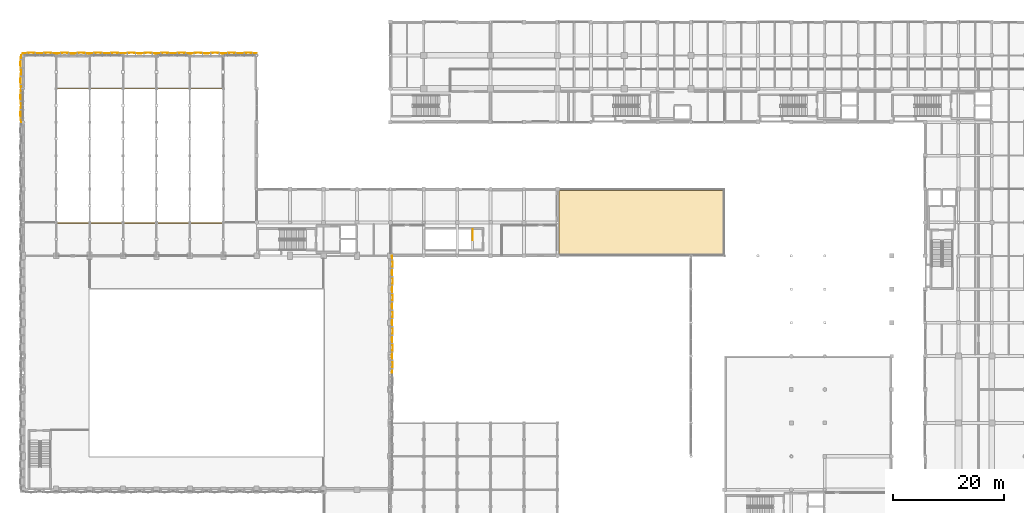
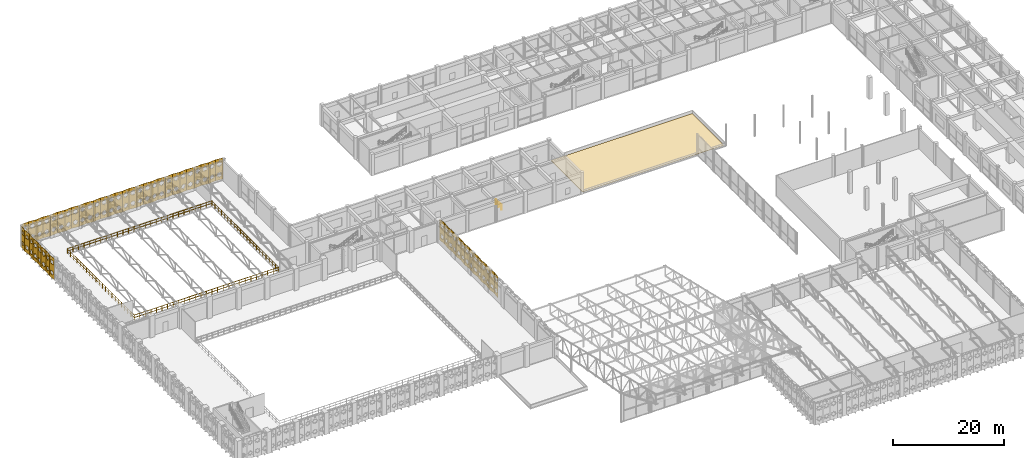
# One storey, part 119 of 123: 51 coverings, 2 railings.
"""IFC4 building model written with IfcOpenShell, lengths in metres."""

from ifc_helpers import new_model, si_unit, direction, frame, origin, origin_2d, place, context, subcontext, project, spatial, polyline, circle, outline, extrude, material, layer, layer_set, type_object, element, save


model = new_model("IFC4")

# Units and contexts
model_context = context("Model", 3, precision=1e-05, world=origin(), true_north=direction((0.0, 1.0)))
body_context = subcontext(model_context, "Body", "Model", "MODEL_VIEW")
ifc_project = project(units=[si_unit("LENGTHUNIT", "METRE"), si_unit("AREAUNIT", "SQUARE_METRE"), si_unit("VOLUMEUNIT", "CUBIC_METRE"), si_unit("PLANEANGLEUNIT", "RADIAN"), si_unit("MASSUNIT", "GRAM", prefix="KILO"), si_unit("THERMODYNAMICTEMPERATUREUNIT", "KELVIN"), si_unit("POWERUNIT", "WATT")], contexts=[model_context])

# Site, building, storey
site_placement = place(None, origin())
site = spatial("IfcSite", under=ifc_project, at=site_placement, CompositionType="ELEMENT")
building_placement = place(site_placement, origin())
building = spatial("IfcBuilding", under=site, at=building_placement, Name="Phaisarnlok Congress Hotel", CompositionType="ELEMENT")
storey_placement = place(building_placement, frame((0.0, 0.0, 15.0)))
storey = spatial("IfcBuildingStorey", under=building, at=storey_placement, Name="L03", CompositionType="ELEMENT", Elevation=15.0)

# Coverings
ifc_material_1 = material(Name="TPO Waterproofing Membrane & Rigid PIR Insulation", Category="other")
ifc_layer_1 = layer(ifc_material_1, 0.050048828125, Name="TPO Waterproofing Membrane & Rigid PIR Insulation")
ifc_layer_set_1 = layer_set([ifc_layer_1], Name="TPO Waterproofing Membrane & Rigid PIR Insulation")
covering_type_1 = type_object("IfcCoveringType", Name="COV-ROOF-MEMB", PredefinedType="ROOFING", material=ifc_layer_set_1)
covering_placement = place(storey_placement, origin())
element("IfcCovering", 1, at=covering_placement, inside=storey, type_object=covering_type_1, Name="Podium roof waterproofing membrane RF-01 (L03 pod_brd_n)", PredefinedType="ROOFING", context=body_context, shape_type="SweptSolid", body=[
    extrude(outline(polyline([(96.25, 84.25), (125.75, 84.25), (125.75, 95.75), (96.25, 95.75), (96.25, 84.25)])), origin(), (0.0, 0.0, 1.0), 0.050048828125),
])
ifc_material_2 = material(Name="PVDF White Perforated Aluminium Alloy 5052", Category="aluminium")
ifc_layer_2 = layer(ifc_material_2, 0.0400390625, Name="PVDF White Perforated Aluminium Alloy 5052")
ifc_layer_set_2 = layer_set([ifc_layer_2], Name="PVDF White Perforated Aluminium Alloy 5052")
covering_type_2 = type_object("IfcCoveringType", Name="COV-STAR-FOLD", PredefinedType="CLADDING", material=ifc_layer_set_2)
for number, where, z_axis, x_axis, name in (
    (2, (66.457763671875, 64.5, 0.06005859375), (-0.994517863207, 0.104566819602, 0.0), (-0.104566819602, -0.994517863207, 0.0), "Folded star-perforated hall screen SS-02 (V1E L03)"),
    (3, (66.300048828125, 66.0, 0.06005859375), (-0.994517863207, -0.104566819602, 0.0), (0.104566819602, -0.994517863207, 0.0), "Folded star-perforated hall screen SS-02 (V1E L03)"),
    (4, (66.457763671875, 67.5, 0.06005859375), (-0.994517863207, 0.104566819602, 0.0), (-0.104566819602, -0.994517863207, 0.0), "Folded star-perforated hall screen SS-02 (V1E L03)"),
    (5, (66.300048828125, 69.0, 0.06005859375), (-0.994517863207, -0.104566819602, 0.0), (0.104566819602, -0.994517863207, 0.0), "Folded star-perforated hall screen SS-02 (V1E L03)"),
    (6, (66.457763671875, 70.5, 0.06005859375), (-0.994517863207, 0.104566819602, 0.0), (-0.104566819602, -0.994517863207, 0.0), "Folded star-perforated hall screen SS-02 (V1E L03)"),
    (7, (66.300048828125, 72.0, 0.06005859375), (-0.994517863207, -0.104566819602, 0.0), (0.104566819602, -0.994517863207, 0.0), "Folded star-perforated hall screen SS-02 (V1E L03)"),
    (8, (66.457763671875, 73.5, 0.06005859375), (-0.994517863207, 0.104566819602, 0.0), (-0.104566819602, -0.994517863207, 0.0), "Folded star-perforated hall screen SS-02 (V1E L03)"),
    (9, (66.300048828125, 75.0, 0.06005859375), (-0.994517863207, -0.104566819602, 0.0), (0.104566819602, -0.994517863207, 0.0), "Folded star-perforated hall screen SS-02 (V1E L03)"),
    (10, (66.457763671875, 76.5, 0.06005859375), (-0.994517863207, 0.104566819602, 0.0), (-0.104566819602, -0.994517863207, 0.0), "Folded star-perforated hall screen SS-02 (V1E L03)"),
    (11, (66.300048828125, 78.0, 0.06005859375), (-0.994517863207, -0.104566819602, 0.0), (0.104566819602, -0.994517863207, 0.0), "Folded star-perforated hall screen SS-02 (V1E L03)"),
    (12, (66.457763671875, 79.5, 0.06005859375), (-0.994517863207, 0.104566819602, 0.0), (-0.104566819602, -0.994517863207, 0.0), "Folded star-perforated hall screen SS-02 (V1E L03)"),
    (13, (66.300048828125, 81.0, 0.06005859375), (-0.994517863207, -0.104566819602, 0.0), (0.104566819602, -0.994517863207, 0.0), "Folded star-perforated hall screen SS-02 (V1E L03)"),
    (14, (66.457763671875, 82.5, 0.06005859375), (-0.994517863207, 0.104566819602, 0.0), (-0.104566819602, -0.994517863207, 0.0), "Folded star-perforated hall screen SS-02 (V1E L03)"),
    (15, (66.300048828125, 84.0, 0.06005859375), (-0.994517863207, -0.104566819602, 0.0), (0.104566819602, -0.994517863207, 0.0), "Folded star-perforated hall screen SS-02 (V1E L03)"),
    (16, (-0.300048828125, 108.0, 0.06005859375), (0.994517863207, 0.104566819602, 0.0), (-0.104566819602, 0.994517863207, 0.0), "Folded star-perforated hall screen SS-02 (V3W L03)"),
    (17, (-0.457763671875, 109.5, 0.06005859375), (0.994517863207, -0.104566819602, 0.0), (0.104566819602, 0.994517863207, 0.0), "Folded star-perforated hall screen SS-02 (V3W L03)"),
    (18, (-0.300048828125, 111.0, 0.06005859375), (0.994517863207, 0.104566819602, 0.0), (-0.104566819602, 0.994517863207, 0.0), "Folded star-perforated hall screen SS-02 (V3W L03)"),
    (19, (-0.457763671875, 112.5, 0.06005859375), (0.994517863207, -0.104566819602, 0.0), (0.104566819602, 0.994517863207, 0.0), "Folded star-perforated hall screen SS-02 (V3W L03)"),
    (20, (-0.300048828125, 114.0, 0.06005859375), (0.994517863207, 0.104566819602, 0.0), (-0.104566819602, 0.994517863207, 0.0), "Folded star-perforated hall screen SS-02 (V3W L03)"),
    (21, (-0.457763671875, 115.5, 0.06005859375), (0.994517863207, -0.104566819602, 0.0), (0.104566819602, 0.994517863207, 0.0), "Folded star-perforated hall screen SS-02 (V3W L03)"),
    (22, (-0.300048828125, 117.0, 0.06005859375), (0.994517863207, 0.104566819602, 0.0), (-0.104566819602, 0.994517863207, 0.0), "Folded star-perforated hall screen SS-02 (V3W L03)"),
    (23, (-0.457763671875, 118.5, 0.06005859375), (0.994517863207, -0.104566819602, 0.0), (0.104566819602, 0.994517863207, 0.0), "Folded star-perforated hall screen SS-02 (V3W L03)"),
    (24, (1.5, 120.457763671875, 0.06005859375), (-0.104566819602, 0.994517863207, 0.0), (-0.994517863207, -0.104566819602, 0.0), "Folded star-perforated hall screen SS-02 (V3N L03)"),
    (25, (3.0, 120.300048828125, 0.06005859375), (0.104566819602, 0.994517863207, 0.0), (-0.994517863207, 0.104566819602, 0.0), "Folded star-perforated hall screen SS-02 (V3N L03)"),
    (26, (4.5, 120.457763671875, 0.06005859375), (-0.104566819602, 0.994517863207, 0.0), (-0.994517863207, -0.104566819602, 0.0), "Folded star-perforated hall screen SS-02 (V3N L03)"),
    (27, (6.0, 120.300048828125, 0.06005859375), (0.104566819602, 0.994517863207, 0.0), (-0.994517863207, 0.104566819602, 0.0), "Folded star-perforated hall screen SS-02 (V3N L03)"),
    (28, (7.5, 120.457763671875, 0.06005859375), (-0.104566819602, 0.994517863207, 0.0), (-0.994517863207, -0.104566819602, 0.0), "Folded star-perforated hall screen SS-02 (V3N L03)"),
    (29, (9.0, 120.300048828125, 0.06005859375), (0.104566819602, 0.994517863207, 0.0), (-0.994517863207, 0.104566819602, 0.0), "Folded star-perforated hall screen SS-02 (V3N L03)"),
    (30, (10.5, 120.457763671875, 0.06005859375), (-0.104566819602, 0.994517863207, 0.0), (-0.994517863207, -0.104566819602, 0.0), "Folded star-perforated hall screen SS-02 (V3N L03)"),
    (31, (12.0, 120.300048828125, 0.06005859375), (0.104566819602, 0.994517863207, 0.0), (-0.994517863207, 0.104566819602, 0.0), "Folded star-perforated hall screen SS-02 (V3N L03)"),
    (32, (13.5, 120.457763671875, 0.06005859375), (-0.104566819602, 0.994517863207, 0.0), (-0.994517863207, -0.104566819602, 0.0), "Folded star-perforated hall screen SS-02 (V3N L03)"),
    (33, (15.0, 120.300048828125, 0.06005859375), (0.104566819602, 0.994517863207, 0.0), (-0.994517863207, 0.104566819602, 0.0), "Folded star-perforated hall screen SS-02 (V3N L03)"),
    (34, (16.5, 120.457763671875, 0.06005859375), (-0.104566819602, 0.994517863207, 0.0), (-0.994517863207, -0.104566819602, 0.0), "Folded star-perforated hall screen SS-02 (V3N L03)"),
    (35, (18.0, 120.300048828125, 0.06005859375), (0.104566819602, 0.994517863207, 0.0), (-0.994517863207, 0.104566819602, 0.0), "Folded star-perforated hall screen SS-02 (V3N L03)"),
    (36, (19.5, 120.457763671875, 0.06005859375), (-0.104566819602, 0.994517863207, 0.0), (-0.994517863207, -0.104566819602, 0.0), "Folded star-perforated hall screen SS-02 (V3N L03)"),
    (37, (21.0, 120.300048828125, 0.06005859375), (0.104566819602, 0.994517863207, 0.0), (-0.994517863207, 0.104566819602, 0.0), "Folded star-perforated hall screen SS-02 (V3N L03)"),
    (38, (22.5, 120.457763671875, 0.06005859375), (-0.104566819602, 0.994517863207, 0.0), (-0.994517863207, -0.104566819602, 0.0), "Folded star-perforated hall screen SS-02 (V3N L03)"),
    (39, (24.0, 120.300048828125, 0.06005859375), (0.104566819602, 0.994517863207, 0.0), (-0.994517863207, 0.104566819602, 0.0), "Folded star-perforated hall screen SS-02 (V3N L03)"),
    (40, (25.5, 120.457763671875, 0.06005859375), (-0.104566819602, 0.994517863207, 0.0), (-0.994517863207, -0.104566819602, 0.0), "Folded star-perforated hall screen SS-02 (V3N L03)"),
    (41, (27.0, 120.300048828125, 0.06005859375), (0.104566819602, 0.994517863207, 0.0), (-0.994517863207, 0.104566819602, 0.0), "Folded star-perforated hall screen SS-02 (V3N L03)"),
    (42, (28.5, 120.457763671875, 0.06005859375), (-0.104566819602, 0.994517863207, 0.0), (-0.994517863207, -0.104566819602, 0.0), "Folded star-perforated hall screen SS-02 (V3N L03)"),
    (43, (30.0, 120.300048828125, 0.06005859375), (0.104566819602, 0.994517863207, 0.0), (-0.994517863207, 0.104566819602, 0.0), "Folded star-perforated hall screen SS-02 (V3N L03)"),
    (44, (31.5, 120.457763671875, 0.06005859375), (-0.104566819602, 0.994517863207, 0.0), (-0.994517863207, -0.104566819602, 0.0), "Folded star-perforated hall screen SS-02 (V3N L03)"),
    (45, (33.0, 120.300048828125, 0.06005859375), (0.104566819602, 0.994517863207, 0.0), (-0.994517863207, 0.104566819602, 0.0), "Folded star-perforated hall screen SS-02 (V3N L03)"),
    (46, (34.5, 120.457763671875, 0.06005859375), (-0.104566819602, 0.994517863207, 0.0), (-0.994517863207, -0.104566819602, 0.0), "Folded star-perforated hall screen SS-02 (V3N L03)"),
    (47, (36.0, 120.300048828125, 0.06005859375), (0.104566819602, 0.994517863207, 0.0), (-0.994517863207, 0.104566819602, 0.0), "Folded star-perforated hall screen SS-02 (V3N L03)"),
    (48, (37.5, 120.457763671875, 0.06005859375), (-0.104566819602, 0.994517863207, 0.0), (-0.994517863207, -0.104566819602, 0.0), "Folded star-perforated hall screen SS-02 (V3N L03)"),
    (49, (39.0, 120.300048828125, 0.06005859375), (0.104566819602, 0.994517863207, 0.0), (-0.994517863207, 0.104566819602, 0.0), "Folded star-perforated hall screen SS-02 (V3N L03)"),
    (50, (40.5, 120.457763671875, 0.06005859375), (-0.104566819602, 0.994517863207, 0.0), (-0.994517863207, -0.104566819602, 0.0), "Folded star-perforated hall screen SS-02 (V3N L03)"),
    (51, (42.0, 120.300048828125, 0.06005859375), (0.104566819602, 0.994517863207, 0.0), (-0.994517863207, 0.104566819602, 0.0), "Folded star-perforated hall screen SS-02 (V3N L03)"),
):
    element("IfcCovering", number, at=place(storey_placement, frame(where, z_axis=z_axis, x_axis=x_axis)), inside=storey, type_object=covering_type_2, Name=name, PredefinedType="CLADDING", context=body_context, shape_type="SweptSolid", body=[
        extrude(outline(polyline([(0.0, 0.0), (1.5082685344258453, 0.0), (1.5082685344258453, 4.659912109375), (0.0, 4.659912109375), (0.0, 0.0)]), holes=[polyline([(1.0351, 1.0486), (1.2021, 0.7171), (0.8705, 0.8841), (0.7541, 0.5315), (0.6378, 0.8841), (0.3062, 0.7171), (0.4732, 1.0486), (0.1207, 1.165), (0.4732, 1.2814), (0.3062, 1.6129), (0.6378, 1.4459), (0.7541, 1.7985), (0.8705, 1.4459), (1.2021, 1.6129), (1.0351, 1.2814), (1.3876, 1.165), (1.0351, 1.0486)]), polyline([(1.0351, 3.3786), (1.2021, 3.0471), (0.8705, 3.2141), (0.7541, 2.8615), (0.6378, 3.2141), (0.3062, 3.0471), (0.4732, 3.3786), (0.1207, 3.495), (0.4732, 3.6114), (0.3062, 3.9429), (0.6378, 3.7759), (0.7541, 4.1285), (0.8705, 3.7759), (1.2021, 3.9429), (1.0351, 3.6114), (1.3876, 3.495), (1.0351, 3.3786)])]), origin(), (0.0, 0.0, 1.0), 0.0400390625),
    ])

# Railings
ifc_material_3 = material(Name="Laminated Glass & Stainless Steel Grade 316", Category="steel")
railing_type_1 = type_object("IfcRailingType", Name="RLG-INT-1100", PredefinedType="BALUSTRADE", material=ifc_material_3)
railing_1_placement = place(storey_placement, frame((36.080078125, 89.919921875, 0.0)))
element("IfcRailing", 52, at=railing_1_placement, inside=storey, type_object=railing_type_1, Name="Atrium gallery guard balustrade GD-02 (L03 v3)", PredefinedType="BALUSTRADE", context=body_context, shape_type="SweptSolid", body=[
    extrude(circle(Radius=0.02392578125, at=origin_2d()), frame((0.0, 0.0, 1.076171875), z_axis=(0.0, 1.0, 0.0), x_axis=(-1.0, 0.0, 0.0)), (0.0, 0.0, 1.0), 24.16015625),
    extrude(circle(Radius=0.02392578125, at=origin_2d()), frame((0.0, 0.0, 0.52587890625), z_axis=(0.0, 1.0, 0.0), x_axis=(-1.0, 0.0, 0.0)), (0.0, 0.0, 1.0), 24.16015625),
    extrude(circle(Radius=0.02392578125, at=origin_2d()), frame((0.0, 24.16015625, 1.076171875), z_axis=(-1.0, 0.0, 0.0), x_axis=(0.0, -1.0, 0.0)), (0.0, 0.0, 1.0), 30.16015625),
    extrude(circle(Radius=0.02392578125, at=origin_2d()), frame((0.0, 24.16015625, 0.52587890625), z_axis=(-1.0, 0.0, 0.0), x_axis=(0.0, -1.0, 0.0)), (0.0, 0.0, 1.0), 30.16015625),
    extrude(circle(Radius=0.02392578125, at=origin_2d()), frame((-30.16015625, 24.16015625, 1.076171875), z_axis=(0.0, -1.0, 0.0), x_axis=(1.0, 0.0, 0.0)), (0.0, 0.0, 1.0), 24.16015625),
    extrude(circle(Radius=0.02392578125, at=origin_2d()), frame((-30.16015625, 24.16015625, 0.52587890625), z_axis=(0.0, -1.0, 0.0), x_axis=(1.0, 0.0, 0.0)), (0.0, 0.0, 1.0), 24.16015625),
    extrude(circle(Radius=0.02392578125, at=origin_2d()), frame((-30.16015625, 0.0, 1.076171875), z_axis=(1.0, 0.0, 0.0), x_axis=(0.0, 1.0, 0.0)), (0.0, 0.0, 1.0), 30.16015625),
    extrude(circle(Radius=0.02392578125, at=origin_2d()), frame((-30.16015625, 0.0, 0.52587890625), z_axis=(1.0, 0.0, 0.0), x_axis=(0.0, 1.0, 0.0)), (0.0, 0.0, 1.0), 30.16015625),
    extrude(circle(Radius=0.02099609375, at=origin_2d()), origin(), (0.0, 0.0, 1.0), 1.052001953125),
    extrude(circle(Radius=0.02099609375, at=origin_2d()), frame((0.0, 1.150390625, 0.0)), (0.0, 0.0, 1.0), 1.052001953125),
    extrude(circle(Radius=0.02099609375, at=origin_2d()), frame((0.0, 2.301025390625, 0.0)), (0.0, 0.0, 1.0), 1.052001953125),
    extrude(circle(Radius=0.02099609375, at=origin_2d()), frame((0.0, 3.451416015625, 0.0)), (0.0, 0.0, 1.0), 1.052001953125),
    extrude(circle(Radius=0.02099609375, at=origin_2d()), frame((0.0, 4.60205078125, 0.0)), (0.0, 0.0, 1.0), 1.052001953125),
    extrude(circle(Radius=0.02099609375, at=origin_2d()), frame((0.0, 5.75244140625, 0.0)), (0.0, 0.0, 1.0), 1.052001953125),
    extrude(circle(Radius=0.02099609375, at=origin_2d()), frame((0.0, 6.90283203125, 0.0)), (0.0, 0.0, 1.0), 1.052001953125),
    extrude(circle(Radius=0.02099609375, at=origin_2d()), frame((0.0, 8.053466796875, 0.0)), (0.0, 0.0, 1.0), 1.052001953125),
    extrude(circle(Radius=0.02099609375, at=origin_2d()), frame((0.0, 9.203857421875, 0.0)), (0.0, 0.0, 1.0), 1.052001953125),
    extrude(circle(Radius=0.02099609375, at=origin_2d()), frame((0.0, 10.354248046875, 0.0)), (0.0, 0.0, 1.0), 1.052001953125),
    extrude(circle(Radius=0.02099609375, at=origin_2d()), frame((0.0, 11.5048828125, 0.0)), (0.0, 0.0, 1.0), 1.052001953125),
    extrude(circle(Radius=0.02099609375, at=origin_2d()), frame((0.0, 12.6552734375, 0.0)), (0.0, 0.0, 1.0), 1.052001953125),
    extrude(circle(Radius=0.02099609375, at=origin_2d()), frame((0.0, 13.805908203125, 0.0)), (0.0, 0.0, 1.0), 1.052001953125),
    extrude(circle(Radius=0.02099609375, at=origin_2d()), frame((0.0, 14.956298828125, 0.0)), (0.0, 0.0, 1.0), 1.052001953125),
    extrude(circle(Radius=0.02099609375, at=origin_2d()), frame((0.0, 16.106689453125, 0.0)), (0.0, 0.0, 1.0), 1.052001953125),
    extrude(circle(Radius=0.02099609375, at=origin_2d()), frame((0.0, 17.25732421875, 0.0)), (0.0, 0.0, 1.0), 1.052001953125),
    extrude(circle(Radius=0.02099609375, at=origin_2d()), frame((0.0, 18.40771484375, 0.0)), (0.0, 0.0, 1.0), 1.052001953125),
    extrude(circle(Radius=0.02099609375, at=origin_2d()), frame((0.0, 19.55810546875, 0.0)), (0.0, 0.0, 1.0), 1.052001953125),
    extrude(circle(Radius=0.02099609375, at=origin_2d()), frame((0.0, 20.708740234375, 0.0)), (0.0, 0.0, 1.0), 1.052001953125),
    extrude(circle(Radius=0.02099609375, at=origin_2d()), frame((0.0, 21.859130859375, 0.0)), (0.0, 0.0, 1.0), 1.052001953125),
    extrude(circle(Radius=0.02099609375, at=origin_2d()), frame((0.0, 23.009765625, 0.0)), (0.0, 0.0, 1.0), 1.052001953125),
    extrude(circle(Radius=0.02099609375, at=origin_2d()), frame((0.0, 24.16015625, 0.0)), (0.0, 0.0, 1.0), 1.052001953125),
    extrude(circle(Radius=0.02099609375, at=origin_2d()), frame((-1.159912109375, 24.16015625, 0.0)), (0.0, 0.0, 1.0), 1.052001953125),
    extrude(circle(Radius=0.02099609375, at=origin_2d()), frame((-2.320068359375, 24.16015625, 0.0)), (0.0, 0.0, 1.0), 1.052001953125),
    extrude(circle(Radius=0.02099609375, at=origin_2d()), frame((-3.47998046875, 24.16015625, 0.0)), (0.0, 0.0, 1.0), 1.052001953125),
    extrude(circle(Radius=0.02099609375, at=origin_2d()), frame((-4.64013671875, 24.16015625, 0.0)), (0.0, 0.0, 1.0), 1.052001953125),
    extrude(circle(Radius=0.02099609375, at=origin_2d()), frame((-5.800048828125, 24.16015625, 0.0)), (0.0, 0.0, 1.0), 1.052001953125),
    extrude(circle(Radius=0.02099609375, at=origin_2d()), frame((-6.9599609375, 24.16015625, 0.0)), (0.0, 0.0, 1.0), 1.052001953125),
    extrude(circle(Radius=0.02099609375, at=origin_2d()), frame((-8.1201171875, 24.16015625, 0.0)), (0.0, 0.0, 1.0), 1.052001953125),
    extrude(circle(Radius=0.02099609375, at=origin_2d()), frame((-9.280029296875, 24.16015625, 0.0)), (0.0, 0.0, 1.0), 1.052001953125),
    extrude(circle(Radius=0.02099609375, at=origin_2d()), frame((-10.43994140625, 24.16015625, 0.0)), (0.0, 0.0, 1.0), 1.052001953125),
    extrude(circle(Radius=0.02099609375, at=origin_2d()), frame((-11.60009765625, 24.16015625, 0.0)), (0.0, 0.0, 1.0), 1.052001953125),
    extrude(circle(Radius=0.02099609375, at=origin_2d()), frame((-12.760009765625, 24.16015625, 0.0)), (0.0, 0.0, 1.0), 1.052001953125),
    extrude(circle(Radius=0.02099609375, at=origin_2d()), frame((-13.920166015625, 24.16015625, 0.0)), (0.0, 0.0, 1.0), 1.052001953125),
    extrude(circle(Radius=0.02099609375, at=origin_2d()), frame((-15.080078125, 24.16015625, 0.0)), (0.0, 0.0, 1.0), 1.052001953125),
    extrude(circle(Radius=0.02099609375, at=origin_2d()), frame((-16.239990234375, 24.16015625, 0.0)), (0.0, 0.0, 1.0), 1.052001953125),
    extrude(circle(Radius=0.02099609375, at=origin_2d()), frame((-17.400146484375, 24.16015625, 0.0)), (0.0, 0.0, 1.0), 1.052001953125),
    extrude(circle(Radius=0.02099609375, at=origin_2d()), frame((-18.56005859375, 24.16015625, 0.0)), (0.0, 0.0, 1.0), 1.052001953125),
    extrude(circle(Radius=0.02099609375, at=origin_2d()), frame((-19.72021484375, 24.16015625, 0.0)), (0.0, 0.0, 1.0), 1.052001953125),
    extrude(circle(Radius=0.02099609375, at=origin_2d()), frame((-20.880126953125, 24.16015625, 0.0)), (0.0, 0.0, 1.0), 1.052001953125),
    extrude(circle(Radius=0.02099609375, at=origin_2d()), frame((-22.0400390625, 24.16015625, 0.0)), (0.0, 0.0, 1.0), 1.052001953125),
    extrude(circle(Radius=0.02099609375, at=origin_2d()), frame((-23.2001953125, 24.16015625, 0.0)), (0.0, 0.0, 1.0), 1.052001953125),
    extrude(circle(Radius=0.02099609375, at=origin_2d()), frame((-24.360107421875, 24.16015625, 0.0)), (0.0, 0.0, 1.0), 1.052001953125),
    extrude(circle(Radius=0.02099609375, at=origin_2d()), frame((-25.52001953125, 24.16015625, 0.0)), (0.0, 0.0, 1.0), 1.052001953125),
    extrude(circle(Radius=0.02099609375, at=origin_2d()), frame((-26.68017578125, 24.16015625, 0.0)), (0.0, 0.0, 1.0), 1.052001953125),
    extrude(circle(Radius=0.02099609375, at=origin_2d()), frame((-27.840087890625, 24.16015625, 0.0)), (0.0, 0.0, 1.0), 1.052001953125),
    extrude(circle(Radius=0.02099609375, at=origin_2d()), frame((-29.000244140625, 24.16015625, 0.0)), (0.0, 0.0, 1.0), 1.052001953125),
    extrude(circle(Radius=0.02099609375, at=origin_2d()), frame((-30.16015625, 24.16015625, 0.0)), (0.0, 0.0, 1.0), 1.052001953125),
    extrude(circle(Radius=0.02099609375, at=origin_2d()), frame((-30.16015625, 23.009765625, 0.0)), (0.0, 0.0, 1.0), 1.052001953125),
    extrude(circle(Radius=0.02099609375, at=origin_2d()), frame((-30.16015625, 21.859130859375, 0.0)), (0.0, 0.0, 1.0), 1.052001953125),
    extrude(circle(Radius=0.02099609375, at=origin_2d()), frame((-30.16015625, 20.708740234375, 0.0)), (0.0, 0.0, 1.0), 1.052001953125),
    extrude(circle(Radius=0.02099609375, at=origin_2d()), frame((-30.16015625, 19.55810546875, 0.0)), (0.0, 0.0, 1.0), 1.052001953125),
    extrude(circle(Radius=0.02099609375, at=origin_2d()), frame((-30.16015625, 18.40771484375, 0.0)), (0.0, 0.0, 1.0), 1.052001953125),
    extrude(circle(Radius=0.02099609375, at=origin_2d()), frame((-30.16015625, 17.25732421875, 0.0)), (0.0, 0.0, 1.0), 1.052001953125),
    extrude(circle(Radius=0.02099609375, at=origin_2d()), frame((-30.16015625, 16.106689453125, 0.0)), (0.0, 0.0, 1.0), 1.052001953125),
    extrude(circle(Radius=0.02099609375, at=origin_2d()), frame((-30.16015625, 14.956298828125, 0.0)), (0.0, 0.0, 1.0), 1.052001953125),
    extrude(circle(Radius=0.02099609375, at=origin_2d()), frame((-30.16015625, 13.805908203125, 0.0)), (0.0, 0.0, 1.0), 1.052001953125),
    extrude(circle(Radius=0.02099609375, at=origin_2d()), frame((-30.16015625, 12.6552734375, 0.0)), (0.0, 0.0, 1.0), 1.052001953125),
    extrude(circle(Radius=0.02099609375, at=origin_2d()), frame((-30.16015625, 11.5048828125, 0.0)), (0.0, 0.0, 1.0), 1.052001953125),
    extrude(circle(Radius=0.02099609375, at=origin_2d()), frame((-30.16015625, 10.354248046875, 0.0)), (0.0, 0.0, 1.0), 1.052001953125),
    extrude(circle(Radius=0.02099609375, at=origin_2d()), frame((-30.16015625, 9.203857421875, 0.0)), (0.0, 0.0, 1.0), 1.052001953125),
    extrude(circle(Radius=0.02099609375, at=origin_2d()), frame((-30.16015625, 8.053466796875, 0.0)), (0.0, 0.0, 1.0), 1.052001953125),
    extrude(circle(Radius=0.02099609375, at=origin_2d()), frame((-30.16015625, 6.90283203125, 0.0)), (0.0, 0.0, 1.0), 1.052001953125),
    extrude(circle(Radius=0.02099609375, at=origin_2d()), frame((-30.16015625, 5.75244140625, 0.0)), (0.0, 0.0, 1.0), 1.052001953125),
    extrude(circle(Radius=0.02099609375, at=origin_2d()), frame((-30.16015625, 4.60205078125, 0.0)), (0.0, 0.0, 1.0), 1.052001953125),
    extrude(circle(Radius=0.02099609375, at=origin_2d()), frame((-30.16015625, 3.451416015625, 0.0)), (0.0, 0.0, 1.0), 1.052001953125),
    extrude(circle(Radius=0.02099609375, at=origin_2d()), frame((-30.16015625, 2.301025390625, 0.0)), (0.0, 0.0, 1.0), 1.052001953125),
    extrude(circle(Radius=0.02099609375, at=origin_2d()), frame((-30.16015625, 1.150390625, 0.0)), (0.0, 0.0, 1.0), 1.052001953125),
    extrude(circle(Radius=0.02099609375, at=origin_2d()), frame((-30.16015625, 0.0, 0.0)), (0.0, 0.0, 1.0), 1.052001953125),
    extrude(circle(Radius=0.02099609375, at=origin_2d()), frame((-29.000244140625, 0.0, 0.0)), (0.0, 0.0, 1.0), 1.052001953125),
    extrude(circle(Radius=0.02099609375, at=origin_2d()), frame((-27.840087890625, 0.0, 0.0)), (0.0, 0.0, 1.0), 1.052001953125),
    extrude(circle(Radius=0.02099609375, at=origin_2d()), frame((-26.68017578125, 0.0, 0.0)), (0.0, 0.0, 1.0), 1.052001953125),
    extrude(circle(Radius=0.02099609375, at=origin_2d()), frame((-25.52001953125, 0.0, 0.0)), (0.0, 0.0, 1.0), 1.052001953125),
    extrude(circle(Radius=0.02099609375, at=origin_2d()), frame((-24.360107421875, 0.0, 0.0)), (0.0, 0.0, 1.0), 1.052001953125),
    extrude(circle(Radius=0.02099609375, at=origin_2d()), frame((-23.2001953125, 0.0, 0.0)), (0.0, 0.0, 1.0), 1.052001953125),
    extrude(circle(Radius=0.02099609375, at=origin_2d()), frame((-22.0400390625, 0.0, 0.0)), (0.0, 0.0, 1.0), 1.052001953125),
    extrude(circle(Radius=0.02099609375, at=origin_2d()), frame((-20.880126953125, 0.0, 0.0)), (0.0, 0.0, 1.0), 1.052001953125),
    extrude(circle(Radius=0.02099609375, at=origin_2d()), frame((-19.72021484375, 0.0, 0.0)), (0.0, 0.0, 1.0), 1.052001953125),
    extrude(circle(Radius=0.02099609375, at=origin_2d()), frame((-18.56005859375, 0.0, 0.0)), (0.0, 0.0, 1.0), 1.052001953125),
    extrude(circle(Radius=0.02099609375, at=origin_2d()), frame((-17.400146484375, 0.0, 0.0)), (0.0, 0.0, 1.0), 1.052001953125),
    extrude(circle(Radius=0.02099609375, at=origin_2d()), frame((-16.239990234375, 0.0, 0.0)), (0.0, 0.0, 1.0), 1.052001953125),
    extrude(circle(Radius=0.02099609375, at=origin_2d()), frame((-15.080078125, 0.0, 0.0)), (0.0, 0.0, 1.0), 1.052001953125),
    extrude(circle(Radius=0.02099609375, at=origin_2d()), frame((-13.920166015625, 0.0, 0.0)), (0.0, 0.0, 1.0), 1.052001953125),
    extrude(circle(Radius=0.02099609375, at=origin_2d()), frame((-12.760009765625, 0.0, 0.0)), (0.0, 0.0, 1.0), 1.052001953125),
    extrude(circle(Radius=0.02099609375, at=origin_2d()), frame((-11.60009765625, 0.0, 0.0)), (0.0, 0.0, 1.0), 1.052001953125),
    extrude(circle(Radius=0.02099609375, at=origin_2d()), frame((-10.43994140625, 0.0, 0.0)), (0.0, 0.0, 1.0), 1.052001953125),
    extrude(circle(Radius=0.02099609375, at=origin_2d()), frame((-9.280029296875, 0.0, 0.0)), (0.0, 0.0, 1.0), 1.052001953125),
    extrude(circle(Radius=0.02099609375, at=origin_2d()), frame((-8.1201171875, 0.0, 0.0)), (0.0, 0.0, 1.0), 1.052001953125),
    extrude(circle(Radius=0.02099609375, at=origin_2d()), frame((-6.9599609375, 0.0, 0.0)), (0.0, 0.0, 1.0), 1.052001953125),
    extrude(circle(Radius=0.02099609375, at=origin_2d()), frame((-5.800048828125, 0.0, 0.0)), (0.0, 0.0, 1.0), 1.052001953125),
    extrude(circle(Radius=0.02099609375, at=origin_2d()), frame((-4.64013671875, 0.0, 0.0)), (0.0, 0.0, 1.0), 1.052001953125),
    extrude(circle(Radius=0.02099609375, at=origin_2d()), frame((-3.47998046875, 0.0, 0.0)), (0.0, 0.0, 1.0), 1.052001953125),
    extrude(circle(Radius=0.02099609375, at=origin_2d()), frame((-2.320068359375, 0.0, 0.0)), (0.0, 0.0, 1.0), 1.052001953125),
    extrude(circle(Radius=0.02099609375, at=origin_2d()), frame((-1.159912109375, 0.0, 0.0)), (0.0, 0.0, 1.0), 1.052001953125),
])
ifc_material_4 = material(Name="Painted Galvanised Steel S275", Category="steel")
railing_type_2 = type_object("IfcRailingType", Name="RLG-STR-GUARD", PredefinedType="BALUSTRADE", material=ifc_material_4)
railing_2_placement = place(storey_placement, frame((80.77001953125, 88.800048828125, 0.0)))
element("IfcRailing", 53, at=railing_2_placement, inside=storey, type_object=railing_type_2, Name="L03 ST-11 top well guard 1", PredefinedType="BALUSTRADE", context=body_context, shape_type="SweptSolid", body=[
    extrude(circle(Radius=0.02392578125, at=origin_2d()), frame((0.0, 0.0, 1.076171875), z_axis=(0.0, -1.0, 0.0), x_axis=(1.0, 0.0, 0.0)), (0.0, 0.0, 1.0), 2.02001953125),
    extrude(circle(Radius=0.02392578125, at=origin_2d()), frame((0.0, 0.0, 0.52587890625), z_axis=(0.0, -1.0, 0.0), x_axis=(1.0, 0.0, 0.0)), (0.0, 0.0, 1.0), 2.02001953125),
    extrude(circle(Radius=0.02099609375, at=origin_2d()), origin(), (0.0, 0.0, 1.0), 1.052001953125),
    extrude(circle(Radius=0.02099609375, at=origin_2d()), frame((0.0, -1.010009765625, 0.0)), (0.0, 0.0, 1.0), 1.052001953125),
    extrude(circle(Radius=0.02099609375, at=origin_2d()), frame((0.0, -2.02001953125, 0.0)), (0.0, 0.0, 1.0), 1.052001953125),
])

save(model, "model.ifc")
